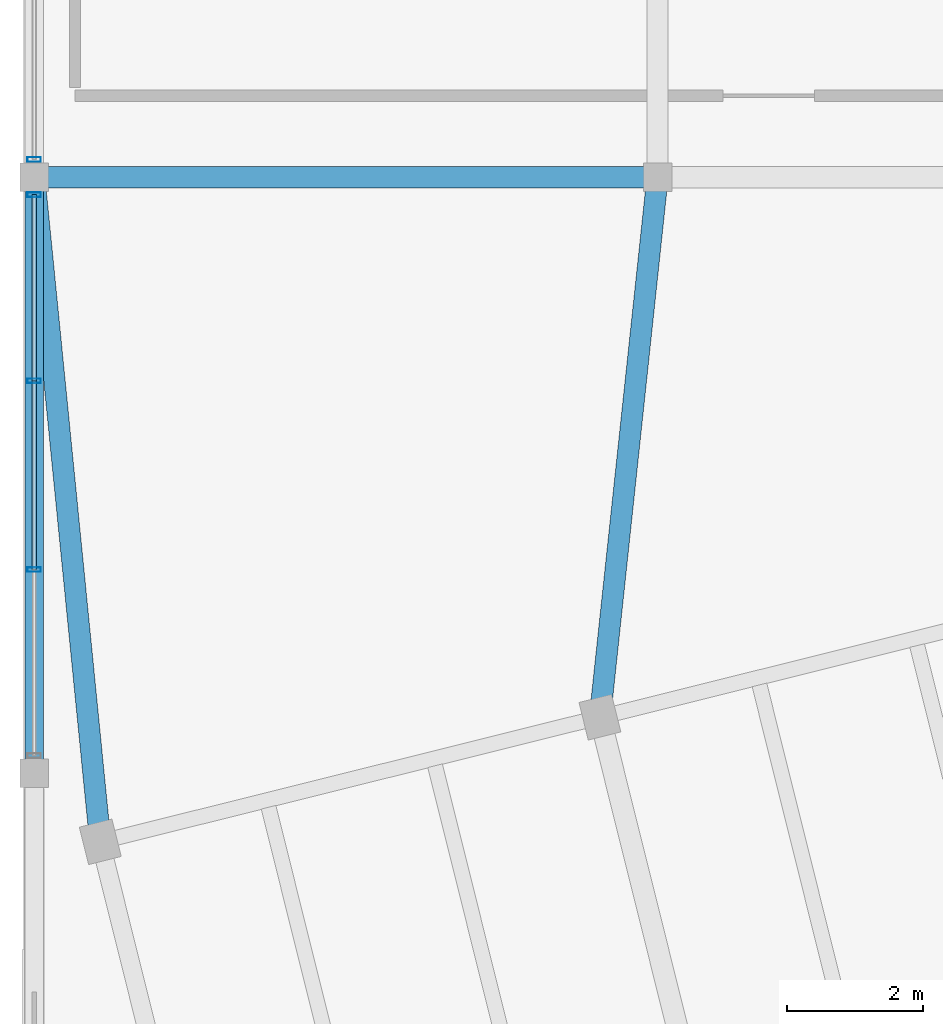
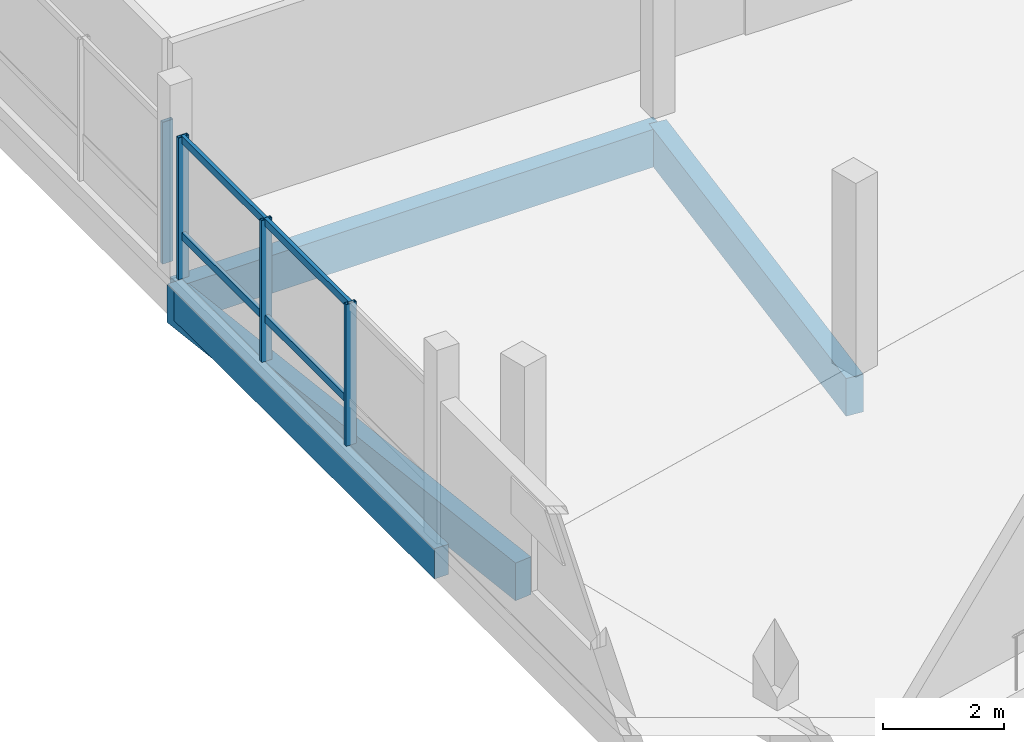
# One storey, part 30 of 47: 8 members, 4 beams, 2 elements without a shape of their own.
"""IFC4 building model written with IfcOpenShell, lengths in metres."""

from ifc_helpers import new_model, si_unit, direction, frame, origin, origin_2d, place, context, subcontext, project, spatial, rectangle, hollow_rectangle, extrude, material, layer, layer_set, material_profile, profile_set, type_object, element, aggregate, save


model = new_model("IFC4")

# Units and contexts
model_context = context("Model", 3, precision=1e-05, world=origin(), true_north=direction((0.0, 1.0)))
body_context = subcontext(model_context, "Body", "Model", "MODEL_VIEW")
ifc_project = project(units=[si_unit("LENGTHUNIT", "METRE"), si_unit("AREAUNIT", "SQUARE_METRE"), si_unit("VOLUMEUNIT", "CUBIC_METRE"), si_unit("PLANEANGLEUNIT", "RADIAN"), si_unit("MASSUNIT", "GRAM", prefix="KILO")], contexts=[model_context])

# Site, building, storey
site_placement = place(None, origin())
site = spatial("IfcSite", under=ifc_project, at=site_placement, CompositionType="ELEMENT")
building_placement = place(site_placement, origin())
building = spatial("IfcBuilding", under=site, at=building_placement, Name="Meriwether Solvik Hall", CompositionType="ELEMENT")
storey_placement = place(building_placement, frame((0.0, 0.0, 18.300048828125)))
storey = spatial("IfcBuildingStorey", under=building, at=storey_placement, Name="L04", CompositionType="ELEMENT", Elevation=18.300048828125)

# Beams
ifc_material_1 = material(Name="Glulam Douglas-Fir 24F-V8 GL28h", Category="wood")
ifc_material_profile_1 = material_profile(ifc_material_1, rectangle(XDim=0.27294921875, YDim=0.610107421875, at=origin_2d()), Name="GLB-273X610")
ifc_profile_set_1 = profile_set([ifc_material_profile_1], Name="Glulam Douglas-Fir 24F-V8 GL28h")
beam_type_1 = type_object("IfcBeamType", Name="BM-GL-273X610", PredefinedType="SPANDREL", material=ifc_profile_set_1)
beam_1_placement = place(storey_placement, frame((59.39990234375, 75.199951171875, -0.550048828125), z_axis=(0.0, 1.0, 0.0), x_axis=(-1.0, 0.0, 0.0)))
element("IfcBeam", 1, at=beam_1_placement, inside=storey, type_object=beam_type_1, Name="Podium Girder 7:I-J (L04)", PredefinedType="SPANDREL", context=body_context, shape_type="SweptSolid", body=[
    extrude(rectangle(XDim=0.27294921875, YDim=0.610107421875, at=origin_2d()), origin(), (0.0, 0.0, 1.0), 8.800048828125),
])
ifc_material_2 = material(Name="Glulam Douglas-Fir 24F-V8 GL28h", Category="wood")
ifc_material_profile_2 = material_profile(ifc_material_2, rectangle(XDim=0.31494140625, YDim=0.760009765625, at=origin_2d()), Name="GLB-315X760")
ifc_profile_set_2 = profile_set([ifc_material_profile_2], Name="Glulam Douglas-Fir 24F-V8 GL28h")
beam_type_2 = type_object("IfcBeamType", Name="BM-GL-315X760", PredefinedType="BEAM", material=ifc_profile_set_2)
beam_2_placement = place(storey_placement, frame((59.39990234375, 84.0, -0.625), z_axis=(1.0, 0.0, 0.0), x_axis=(0.0, 1.0, 0.0)))
element("IfcBeam", 2, at=beam_2_placement, inside=storey, type_object=beam_type_2, Name="Podium Girder J:7-8 (L04)", PredefinedType="BEAM", context=body_context, shape_type="SweptSolid", body=[
    extrude(rectangle(XDim=0.31494140625, YDim=0.760009765625, at=origin_2d()), origin(), (0.0, 0.0, 1.0), 9.2001953125),
])
beam_3_placement = place(storey_placement, frame((60.374755859375, 74.18994140625, -0.625), z_axis=(-0.098885806068, 0.995098787738, 0.0), x_axis=(-0.995098787738, -0.098885806068, 0.0)))
element("IfcBeam", 3, at=beam_3_placement, inside=storey, type_object=beam_type_2, Name="Diaphragm Collector Girder T1/TF-7/J (L04)", PredefinedType="BEAM", context=body_context, shape_type="SweptSolid", body=[
    extrude(rectangle(XDim=0.31494140625, YDim=0.760009765625, at=origin_2d()), origin(), (0.0, 0.0, 1.0), 9.8583984375),
])
beam_4_placement = place(storey_placement, frame((67.7490234375, 76.028564453125, -0.625), z_axis=(0.106162139873, 0.99434883218, 0.0), x_axis=(-0.99434883218, 0.106162139873, 0.0)))
element("IfcBeam", 4, at=beam_4_placement, inside=storey, type_object=beam_type_2, Name="Diaphragm Collector Girder T2/TF-8/J (L04)", PredefinedType="BEAM", context=body_context, shape_type="SweptSolid", body=[
    extrude(rectangle(XDim=0.31494140625, YDim=0.760009765625, at=origin_2d()), origin(), (0.0, 0.0, 1.0), 8.016845703125),
])

# Curtain wall, members
ifc_material_3 = material(Name="Thermally Broken Anodised Aluminium 6063-T6 and Low-E Glass", Category="aluminium")
ifc_layer = layer(ifc_material_3, 0.179931640625)
ifc_layer_set = layer_set([ifc_layer], Name="Thermally Broken Anodised Aluminium 6063-T6 and Low-E Glass")
curtain_wall_type = type_object("IfcCurtainWallType", Name="CW-UNIT-E", PredefinedType="USERDEFINED", material=ifc_layer_set)
curtain_wall_1_placement = place(storey_placement, origin())
curtain_wall_1 = element("IfcCurtainWall", 5, at=curtain_wall_1_placement, inside=storey, type_object=curtain_wall_type, Name="Curtain Wall wing_Y7_9_20 (L04)", ObjectType="UNITISED CURTAIN WALL", PredefinedType="USERDEFINED")
ifc_material_4 = material(Name="Anodised Aluminium 6063-T6", Category="aluminium")
ifc_material_profile_3 = material_profile(ifc_material_4, hollow_rectangle(XDim=0.070068359375, YDim=0.199951171875, WallThickness=0.0048828125, at=origin_2d()), Name="CWM-70X200")
ifc_profile_set_3 = profile_set([ifc_material_profile_3], Name="Anodised Aluminium 6063-T6")
member_type_1 = type_object("IfcMemberType", Name="CW-MUL-70X200", PredefinedType="MULLION", material=ifc_profile_set_3)
member_1_placement = place(storey_placement, frame((59.39990234375, 78.207275390625, 0.0), z_axis=(0.0, 0.0, 1.0), x_axis=(0.0, 1.0, 0.0)))
member_1 = element("IfcMember", 6, at=member_1_placement, type_object=member_type_1, Name="Curtain Wall Mullion 2", PredefinedType="MULLION", context=body_context, shape_type="SweptSolid", body=[
    extrude(hollow_rectangle(XDim=0.070068359375, YDim=0.199951171875, WallThickness=0.0048828125, at=origin_2d()), origin(), (0.0, 0.0, 1.0), 2.85498046875),
])
member_2_placement = place(storey_placement, frame((59.39990234375, 80.99267578125, 0.0), z_axis=(0.0, 0.0, 1.0), x_axis=(0.0, 1.0, 0.0)))
member_2 = element("IfcMember", 7, at=member_2_placement, type_object=member_type_1, Name="Curtain Wall Mullion 3", PredefinedType="MULLION", context=body_context, shape_type="SweptSolid", body=[
    extrude(hollow_rectangle(XDim=0.070068359375, YDim=0.199951171875, WallThickness=0.0048828125, at=origin_2d()), origin(), (0.0, 0.0, 1.0), 2.85498046875),
])
member_3_placement = place(storey_placement, frame((59.39990234375, 83.739990234375, 0.0), z_axis=(0.0, 0.0, 1.0), x_axis=(0.0, 1.0, 0.0)))
member_3 = element("IfcMember", 8, at=member_3_placement, type_object=member_type_1, Name="Curtain Wall Mullion 4", PredefinedType="MULLION", context=body_context, shape_type="SweptSolid", body=[
    extrude(hollow_rectangle(XDim=0.070068359375, YDim=0.199951171875, WallThickness=0.0048828125, at=origin_2d()), origin(), (0.0, 0.0, 1.0), 2.85498046875),
])

# Curtain wall, member
curtain_wall_2_placement = place(storey_placement, origin())
curtain_wall_2 = element("IfcCurtainWall", 9, at=curtain_wall_2_placement, inside=storey, type_object=curtain_wall_type, Name="Curtain Wall wing_Y7_10_21 (L04)", ObjectType="UNITISED CURTAIN WALL", PredefinedType="USERDEFINED")
member_4_placement = place(storey_placement, frame((59.39990234375, 84.260009765625, 0.0), z_axis=(0.0, 0.0, 1.0), x_axis=(0.0, 1.0, 0.0)))
member_4 = element("IfcMember", 10, at=member_4_placement, type_object=member_type_1, Name="Curtain Wall Mullion 1", PredefinedType="MULLION", context=body_context, shape_type="SweptSolid", body=[
    extrude(hollow_rectangle(XDim=0.070068359375, YDim=0.199951171875, WallThickness=0.0048828125, at=origin_2d()), origin(), (0.0, 0.0, 1.0), 2.85498046875),
])
aggregate(curtain_wall_2, [member_4])

# Member
ifc_material_5 = material(Name="Anodised Aluminium 6063-T6", Category="aluminium")
ifc_material_profile_4 = material_profile(ifc_material_5, hollow_rectangle(XDim=0.070068359375, YDim=0.14990234375, WallThickness=0.0048828125, at=origin_2d()), Name="CWT-70X150")
ifc_profile_set_4 = profile_set([ifc_material_profile_4], Name="Anodised Aluminium 6063-T6")
member_type_2 = type_object("IfcMemberType", Name="CW-TRN-70X150", PredefinedType="USERDEFINED", material=ifc_profile_set_4)
member_5_placement = place(storey_placement, frame((59.39990234375, 78.207275390625, 0.8564453125), z_axis=(0.0, 1.0, 0.0), x_axis=(-1.0, 0.0, 0.0)))
member_5 = element("IfcMember", 11, at=member_5_placement, type_object=member_type_2, Name="Curtain Wall Transom 2-sill", ObjectType="TRANSOM", PredefinedType="USERDEFINED", context=body_context, shape_type="SweptSolid", body=[
    extrude(hollow_rectangle(XDim=0.070068359375, YDim=0.14990234375, WallThickness=0.0048828125, at=origin_2d()), origin(), (0.0, 0.0, 1.0), 2.785400390625),
])

member_6_placement = place(storey_placement, frame((59.39990234375, 78.207275390625, 2.794921875), z_axis=(0.0, 1.0, 0.0), x_axis=(-1.0, 0.0, 0.0)))
member_6 = element("IfcMember", 12, at=member_6_placement, type_object=member_type_2, Name="Curtain Wall Transom 2-head", ObjectType="TRANSOM", PredefinedType="USERDEFINED", context=body_context, shape_type="SweptSolid", body=[
    extrude(hollow_rectangle(XDim=0.070068359375, YDim=0.14990234375, WallThickness=0.0048828125, at=origin_2d()), origin(), (0.0, 0.0, 1.0), 2.785400390625),
])

member_7_placement = place(storey_placement, frame((59.39990234375, 80.99267578125, 0.8564453125), z_axis=(0.0, 1.0, 0.0), x_axis=(-1.0, 0.0, 0.0)))
member_7 = element("IfcMember", 13, at=member_7_placement, type_object=member_type_2, Name="Curtain Wall Transom 3-sill", ObjectType="TRANSOM", PredefinedType="USERDEFINED", context=body_context, shape_type="SweptSolid", body=[
    extrude(hollow_rectangle(XDim=0.070068359375, YDim=0.14990234375, WallThickness=0.0048828125, at=origin_2d()), origin(), (0.0, 0.0, 1.0), 2.747314453125),
])

member_8_placement = place(storey_placement, frame((59.39990234375, 80.99267578125, 2.794921875), z_axis=(0.0, 1.0, 0.0), x_axis=(-1.0, 0.0, 0.0)))
member_8 = element("IfcMember", 14, at=member_8_placement, type_object=member_type_2, Name="Curtain Wall Transom 3-head", ObjectType="TRANSOM", PredefinedType="USERDEFINED", context=body_context, shape_type="SweptSolid", body=[
    extrude(hollow_rectangle(XDim=0.070068359375, YDim=0.14990234375, WallThickness=0.0048828125, at=origin_2d()), origin(), (0.0, 0.0, 1.0), 2.747314453125),
])

aggregate(curtain_wall_1, [member_1, member_2, member_3, member_5, member_6, member_7, member_8])

save(model, "model.ifc")
